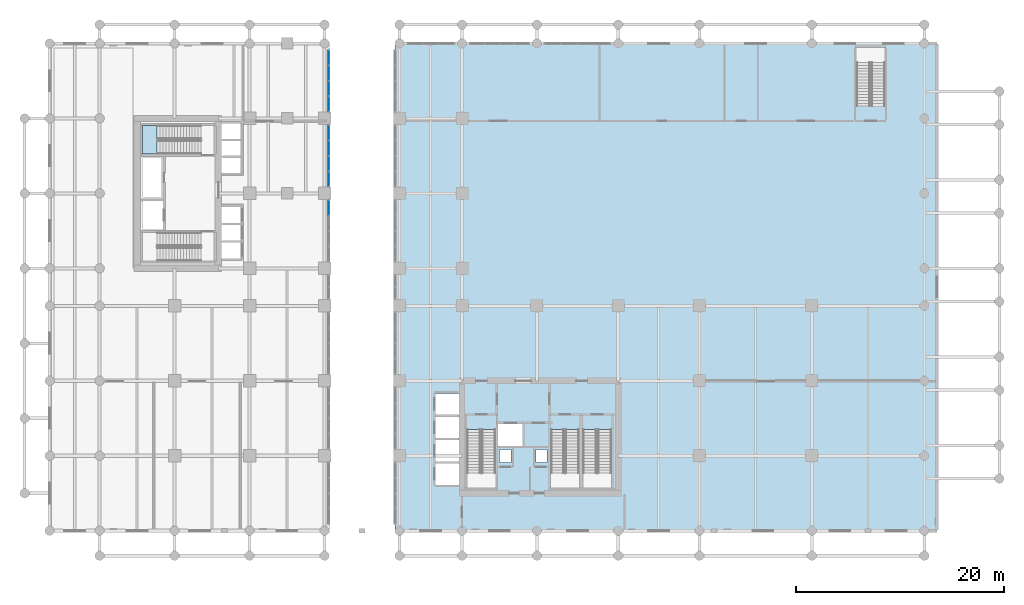
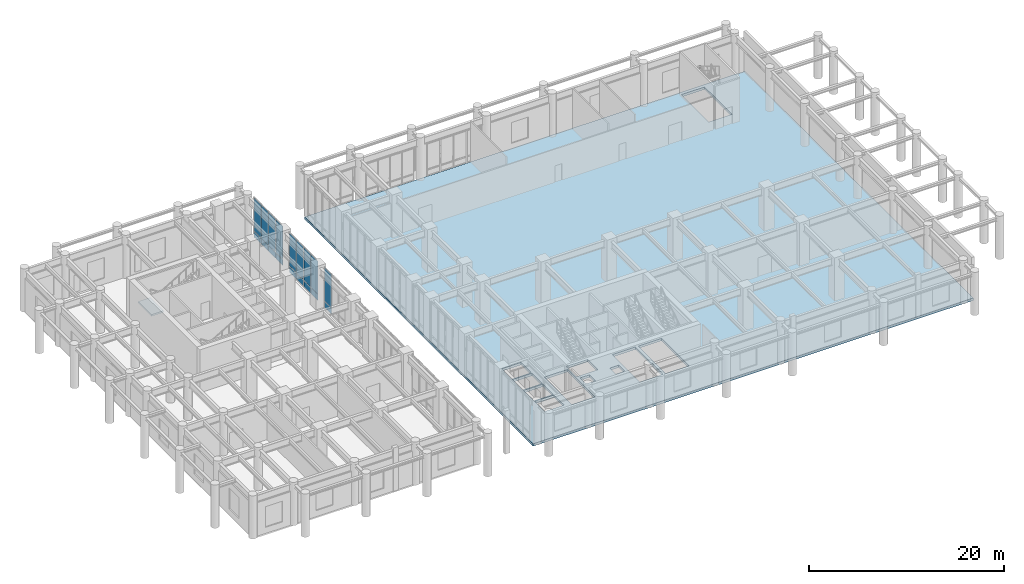
# One storey, part 12 of 23: 18 plates, 2 slabs, 4 elements without a shape of their own.
"""IFC4 building model written with IfcOpenShell, lengths in metres."""

from ifc_helpers import new_model, si_unit, derived_unit, direction, frame, origin, origin_2d, place, context, subcontext, project, spatial, polyline, rectangle, outline, extrude, source, transform, mapped, material, layer, layer_set, type_object, element, aggregate, save


model = new_model("IFC4")

# Units and contexts
model_context = context("Model", 3, precision=1e-05, world=origin(), true_north=direction((0.0, 1.0)))
body_context = subcontext(model_context, "Body", "Model", "MODEL_VIEW")
ifc_project = project(units=[si_unit("LENGTHUNIT", "METRE"), si_unit("AREAUNIT", "SQUARE_METRE"), si_unit("VOLUMEUNIT", "CUBIC_METRE"), si_unit("PLANEANGLEUNIT", "RADIAN"), si_unit("MASSUNIT", "GRAM", prefix="KILO"), si_unit("THERMODYNAMICTEMPERATUREUNIT", "KELVIN"), si_unit("POWERUNIT", "WATT"), derived_unit("THERMALTRANSMITTANCEUNIT", [(si_unit("POWERUNIT", "WATT"), 1), (si_unit("AREAUNIT", "SQUARE_METRE"), -1), (si_unit("THERMODYNAMICTEMPERATUREUNIT", "KELVIN"), -1)])], contexts=[model_context])

# Site, building, storey
site_placement = place(None, origin())
site = spatial("IfcSite", under=ifc_project, at=site_placement, CompositionType="ELEMENT")
building_placement = place(site_placement, origin())
building = spatial("IfcBuilding", under=site, at=building_placement, Name="Zahravan Archway Hotel and Residences", CompositionType="ELEMENT")
storey_placement = place(building_placement, frame((0.0, 0.0, 5.39990234375)))
storey = spatial("IfcBuildingStorey", under=building, at=storey_placement, Name="L01", CompositionType="ELEMENT", Elevation=5.39990234375)

# Slab
ifc_material_1 = material(Name="Concrete C50/60", Category="concrete")
ifc_layer_1 = layer(ifc_material_1, 0.300048828125, Name="Concrete C50/60", Category="concrete")
ifc_layer_set_1 = layer_set([ifc_layer_1], Name="Concrete C50/60")
slab_type_1 = type_object("IfcSlabType", Name="SLB-FLR-300", PredefinedType="FLOOR", material=ifc_layer_set_1)
slab_1_placement = place(storey_placement, frame((0.0, 0.0, -0.2998046875)))
element("IfcSlab", 1, at=slab_1_placement, inside=storey, type_object=slab_type_1, Name="L01 Floor Slab EAST", PredefinedType="FLOOR", context=body_context, shape_type="SweptSolid", body=[
    extrude(outline(polyline([(28.35009765625, 0.0), (80.39990234375, 0.0), (80.39990234375, 46.800048828125), (28.35009765625, 46.800048828125), (28.35009765625, 0.0)]), holes=[polyline([(35.300048828125, 9.72998046875), (35.300048828125, 4.10009765625), (38.0400390625, 4.10009765625), (38.0400390625, 9.72998046875), (35.300048828125, 9.72998046875)]), polyline([(43.320068359375, 9.72998046875), (43.320068359375, 4.10009765625), (46.06005859375, 4.10009765625), (46.06005859375, 9.72998046875), (43.320068359375, 9.72998046875)]), polyline([(46.39990234375, 9.72998046875), (46.39990234375, 4.10009765625), (49.139892578125, 4.10009765625), (49.139892578125, 9.72998046875), (46.39990234375, 9.72998046875)]), polyline([(75.39990234375, 40.77001953125), (75.39990234375, 46.39990234375), (72.659912109375, 46.39990234375), (72.659912109375, 40.77001953125), (75.39990234375, 40.77001953125)]), polyline([(38.179931640625, 8.14990234375), (40.699951171875, 8.14990234375), (40.699951171875, 10.25), (38.179931640625, 10.25), (38.179931640625, 8.14990234375)]), polyline([(32.25, 4.39990234375), (34.550048828125, 4.39990234375), (34.550048828125, 6.47998046875), (32.25, 6.47998046875), (32.25, 4.39990234375)]), polyline([(32.25, 6.639892578125), (34.550048828125, 6.639892578125), (34.550048828125, 8.719970703125), (32.25, 8.719970703125), (32.25, 6.639892578125)]), polyline([(32.25, 8.8798828125), (34.550048828125, 8.8798828125), (34.550048828125, 10.9599609375), (32.25, 10.9599609375), (32.25, 8.8798828125)]), polyline([(32.25, 11.1201171875), (34.550048828125, 11.1201171875), (34.550048828125, 13.199951171875), (32.25, 13.199951171875), (32.25, 11.1201171875)]), polyline([(38.419921875, 6.56005859375), (39.5, 6.56005859375), (39.5, 7.780029296875), (38.419921875, 7.780029296875), (38.419921875, 6.56005859375)]), polyline([(41.89990234375, 6.56005859375), (42.9599609375, 6.56005859375), (42.9599609375, 7.780029296875), (41.89990234375, 7.780029296875), (41.89990234375, 6.56005859375)])]), origin(), (0.0, 0.0, 1.0), 0.2998046875),
])

# Stair, slab
stair_type = type_object("IfcStairType", Name="STR-CORE-1300", PredefinedType="HALF_TURN_STAIR", material=ifc_material_1)
stair_placement = place(storey_placement, origin())
stair = element("IfcStair", 2, at=stair_placement, inside=storey, type_object=stair_type, Name="L01 Core B Exit Stair 2", PredefinedType="HALF_TURN_STAIR")
ifc_layer_2 = layer(ifc_material_1, 0.199951171875, Name="Concrete C50/60", Category="concrete")
ifc_layer_set_2 = layer_set([ifc_layer_2], Name="Concrete C50/60")
slab_type_2 = type_object("IfcSlabType", Name="SLB-LND-200", PredefinedType="LANDING", material=ifc_layer_set_2)
slab_2_placement = place(storey_placement, frame((0.0, 0.0, 2.5)))
slab_2 = element("IfcSlab", 3, at=slab_2_placement, type_object=slab_type_2, Name="ST-B2 landing 1", PredefinedType="LANDING", context=body_context, shape_type="SweptSolid", body=[
    extrude(outline(polyline([(5.530029296875, 38.89990234375), (4.10009765625, 38.89990234375), (4.10009765625, 36.159912109375), (5.530029296875, 36.159912109375), (5.530029296875, 38.89990234375)])), origin(), (0.0, 0.0, 1.0), 0.2001953125),
])
aggregate(stair, [slab_2])

# Curtain wall, plate
ifc_material_2 = material(Name="Bronze-Anodized Unitised Aluminium & Low-E Glass", Category="aluminium")
ifc_layer_3 = layer(ifc_material_2, 0.179931640625, Name="Bronze-Anodized Unitised Aluminium & Low-E Glass", Category="aluminium")
ifc_layer_set_3 = layer_set([ifc_layer_3], Name="Bronze-Anodized Unitised Aluminium & Low-E Glass")
curtain_wall_type = type_object("IfcCurtainWallType", Name="CW-POD-ARCH", PredefinedType="NOTDEFINED", material=ifc_layer_set_3)
curtain_wall_1_placement = place(storey_placement, origin())
curtain_wall_1 = element("IfcCurtainWall", 4, at=curtain_wall_1_placement, inside=storey, type_object=curtain_wall_type, Name="L01 Curtain Wall CW-PORTW-L01-5", PredefinedType="NOTDEFINED")
ifc_material_3 = material(Name="Insulated Terracotta Spandrel Panel", Category="masonry")
ifc_layer_4 = layer(ifc_material_3, 0.0400390625, Name="Insulated Terracotta Spandrel Panel", Category="masonry")
ifc_layer_set_4 = layer_set([ifc_layer_4], Name="Insulated Terracotta Spandrel Panel")
plate_type_1 = type_object("IfcPlateType", Name="CWP-SPN-40", PredefinedType="SHEET", material=ifc_layer_set_4)
shared_shape_1 = source(origin(), body_context, "Body", "SweptSolid", [
    extrude(rectangle(XDim=1.3974609375, YDim=0.0400390625, at=origin_2d()), origin(), (0.0, 0.0, 1.0), 0.7099609375),
])
plate_1_placement = place(storey_placement, frame((22.0, 31.01611328125, 0.10009765625), z_axis=(0.0, 0.0, 1.0), x_axis=(0.0, 1.0, 0.0)))
plate_1 = element("IfcPlate", 5, at=plate_1_placement, type_object=plate_type_1, Name="CW-PORTW-L01-5 Spandrel Panel 3", PredefinedType="SHEET", context=body_context, shape_type="MappedRepresentation", body=[
    mapped(shared_shape_1, transform((0.0, 0.0, 0.0), scale=1.0)),
])

# Curtain wall, plates
curtain_wall_2_placement = place(storey_placement, origin())
curtain_wall_2 = element("IfcCurtainWall", 6, at=curtain_wall_2_placement, inside=storey, type_object=curtain_wall_type, Name="L01 Curtain Wall CW-PORTW-L01-6", PredefinedType="NOTDEFINED")
plate_2_placement = place(storey_placement, frame((22.0, 33.783935546875, 0.10009765625), z_axis=(0.0, 0.0, 1.0), x_axis=(0.0, 1.0, 0.0)))
plate_2 = element("IfcPlate", 7, at=plate_2_placement, type_object=plate_type_1, Name="CW-PORTW-L01-6 Spandrel Panel 0", PredefinedType="SHEET", context=body_context, shape_type="MappedRepresentation", body=[
    mapped(shared_shape_1, transform((0.0, 0.0, 0.0), scale=1.0)),
])
plate_3_placement = place(storey_placement, frame((22.0, 35.26123046875, 0.10009765625), z_axis=(0.0, 0.0, 1.0), x_axis=(0.0, 1.0, 0.0)))
plate_3 = element("IfcPlate", 8, at=plate_3_placement, type_object=plate_type_1, Name="CW-PORTW-L01-6 Spandrel Panel 1", PredefinedType="SHEET", context=body_context, shape_type="MappedRepresentation", body=[
    mapped(shared_shape_1, transform((0.0, 0.0, 0.0), scale=1.0)),
])
plate_4_placement = place(storey_placement, frame((22.0, 36.73876953125, 0.10009765625), z_axis=(0.0, 0.0, 1.0), x_axis=(0.0, 1.0, 0.0)))
plate_4 = element("IfcPlate", 9, at=plate_4_placement, type_object=plate_type_1, Name="CW-PORTW-L01-6 Spandrel Panel 2", PredefinedType="SHEET", context=body_context, shape_type="MappedRepresentation", body=[
    mapped(shared_shape_1, transform((0.0, 0.0, 0.0), scale=1.0)),
])
plate_5_placement = place(storey_placement, frame((22.0, 38.216064453125, 0.10009765625), z_axis=(0.0, 0.0, 1.0), x_axis=(0.0, 1.0, 0.0)))
plate_5 = element("IfcPlate", 10, at=plate_5_placement, type_object=plate_type_1, Name="CW-PORTW-L01-6 Spandrel Panel 3", PredefinedType="SHEET", context=body_context, shape_type="MappedRepresentation", body=[
    mapped(shared_shape_1, transform((0.0, 0.0, 0.0), scale=1.0)),
])

curtain_wall_3_placement = place(storey_placement, origin())
curtain_wall_3 = element("IfcCurtainWall", 11, at=curtain_wall_3_placement, inside=storey, type_object=curtain_wall_type, Name="L01 Curtain Wall CW-PORTW-L01-7", PredefinedType="NOTDEFINED")
plate_6_placement = place(storey_placement, frame((22.0, 40.98388671875, 0.10009765625), z_axis=(0.0, 0.0, 1.0), x_axis=(0.0, 1.0, 0.0)))
plate_6 = element("IfcPlate", 12, at=plate_6_placement, type_object=plate_type_1, Name="CW-PORTW-L01-7 Spandrel Panel 0", PredefinedType="SHEET", context=body_context, shape_type="MappedRepresentation", body=[
    mapped(shared_shape_1, transform((0.0, 0.0, 0.0), scale=1.0)),
])
plate_7_placement = place(storey_placement, frame((22.0, 42.461181640625, 0.10009765625), z_axis=(0.0, 0.0, 1.0), x_axis=(0.0, 1.0, 0.0)))
plate_7 = element("IfcPlate", 13, at=plate_7_placement, type_object=plate_type_1, Name="CW-PORTW-L01-7 Spandrel Panel 1", PredefinedType="SHEET", context=body_context, shape_type="MappedRepresentation", body=[
    mapped(shared_shape_1, transform((0.0, 0.0, 0.0), scale=1.0)),
])
plate_8_placement = place(storey_placement, frame((22.0, 43.938720703125, 0.10009765625), z_axis=(0.0, 0.0, 1.0), x_axis=(0.0, 1.0, 0.0)))
plate_8 = element("IfcPlate", 14, at=plate_8_placement, type_object=plate_type_1, Name="CW-PORTW-L01-7 Spandrel Panel 2", PredefinedType="SHEET", context=body_context, shape_type="MappedRepresentation", body=[
    mapped(shared_shape_1, transform((0.0, 0.0, 0.0), scale=1.0)),
])
plate_9_placement = place(storey_placement, frame((22.0, 45.416015625, 0.10009765625), z_axis=(0.0, 0.0, 1.0), x_axis=(0.0, 1.0, 0.0)))
plate_9 = element("IfcPlate", 15, at=plate_9_placement, type_object=plate_type_1, Name="CW-PORTW-L01-7 Spandrel Panel 3", PredefinedType="SHEET", context=body_context, shape_type="MappedRepresentation", body=[
    mapped(shared_shape_1, transform((0.0, 0.0, 0.0), scale=1.0)),
])

# Plate
ifc_material_4 = material(Name="Double-Silver Low-E Insulated Vision Glass", Category="glass")
ifc_layer_5 = layer(ifc_material_4, 0.028076171875, Name="Double-Silver Low-E Insulated Vision Glass", Category="glass")
ifc_layer_set_5 = layer_set([ifc_layer_5], Name="Double-Silver Low-E Insulated Vision Glass")
plate_type_2 = type_object("IfcPlateType", Name="CWP-GLZ-28", PredefinedType="CURTAIN_PANEL", material=ifc_layer_set_5)
shared_shape_2 = source(origin(), body_context, "Body", "SweptSolid", [
    extrude(rectangle(XDim=1.3974609375, YDim=0.028076171875, at=origin_2d()), origin(), (0.0, 0.0, 1.0), 4.110107421875),
])
plate_10_placement = place(storey_placement, frame((22.0, 31.01611328125, 0.89013671875), z_axis=(0.0, 0.0, 1.0), x_axis=(0.0, 1.0, 0.0)))
plate_10 = element("IfcPlate", 16, at=plate_10_placement, type_object=plate_type_2, Name="CW-PORTW-L01-5 Low-E Vision Panel 3", PredefinedType="CURTAIN_PANEL", context=body_context, shape_type="MappedRepresentation", body=[
    mapped(shared_shape_2, transform((0.0, 0.0, 0.0), scale=1.0)),
])

aggregate(curtain_wall_1, [plate_1, plate_10])

plate_11_placement = place(storey_placement, frame((22.0, 33.783935546875, 0.89013671875), z_axis=(0.0, 0.0, 1.0), x_axis=(0.0, 1.0, 0.0)))
plate_11 = element("IfcPlate", 17, at=plate_11_placement, type_object=plate_type_2, Name="CW-PORTW-L01-6 Low-E Vision Panel 0", PredefinedType="CURTAIN_PANEL", context=body_context, shape_type="MappedRepresentation", body=[
    mapped(shared_shape_2, transform((0.0, 0.0, 0.0), scale=1.0)),
])

plate_12_placement = place(storey_placement, frame((22.0, 35.26123046875, 0.89013671875), z_axis=(0.0, 0.0, 1.0), x_axis=(0.0, 1.0, 0.0)))
plate_12 = element("IfcPlate", 18, at=plate_12_placement, type_object=plate_type_2, Name="CW-PORTW-L01-6 Low-E Vision Panel 1", PredefinedType="CURTAIN_PANEL", context=body_context, shape_type="MappedRepresentation", body=[
    mapped(shared_shape_2, transform((0.0, 0.0, 0.0), scale=1.0)),
])

plate_13_placement = place(storey_placement, frame((22.0, 36.73876953125, 0.89013671875), z_axis=(0.0, 0.0, 1.0), x_axis=(0.0, 1.0, 0.0)))
plate_13 = element("IfcPlate", 19, at=plate_13_placement, type_object=plate_type_2, Name="CW-PORTW-L01-6 Low-E Vision Panel 2", PredefinedType="CURTAIN_PANEL", context=body_context, shape_type="MappedRepresentation", body=[
    mapped(shared_shape_2, transform((0.0, 0.0, 0.0), scale=1.0)),
])

plate_14_placement = place(storey_placement, frame((22.0, 38.216064453125, 0.89013671875), z_axis=(0.0, 0.0, 1.0), x_axis=(0.0, 1.0, 0.0)))
plate_14 = element("IfcPlate", 20, at=plate_14_placement, type_object=plate_type_2, Name="CW-PORTW-L01-6 Low-E Vision Panel 3", PredefinedType="CURTAIN_PANEL", context=body_context, shape_type="MappedRepresentation", body=[
    mapped(shared_shape_2, transform((0.0, 0.0, 0.0), scale=1.0)),
])

aggregate(curtain_wall_2, [plate_2, plate_11, plate_3, plate_12, plate_4, plate_13, plate_5, plate_14])

plate_15_placement = place(storey_placement, frame((22.0, 40.98388671875, 0.89013671875), z_axis=(0.0, 0.0, 1.0), x_axis=(0.0, 1.0, 0.0)))
plate_15 = element("IfcPlate", 21, at=plate_15_placement, type_object=plate_type_2, Name="CW-PORTW-L01-7 Low-E Vision Panel 0", PredefinedType="CURTAIN_PANEL", context=body_context, shape_type="MappedRepresentation", body=[
    mapped(shared_shape_2, transform((0.0, 0.0, 0.0), scale=1.0)),
])

plate_16_placement = place(storey_placement, frame((22.0, 42.461181640625, 0.89013671875), z_axis=(0.0, 0.0, 1.0), x_axis=(0.0, 1.0, 0.0)))
plate_16 = element("IfcPlate", 22, at=plate_16_placement, type_object=plate_type_2, Name="CW-PORTW-L01-7 Low-E Vision Panel 1", PredefinedType="CURTAIN_PANEL", context=body_context, shape_type="MappedRepresentation", body=[
    mapped(shared_shape_2, transform((0.0, 0.0, 0.0), scale=1.0)),
])

plate_17_placement = place(storey_placement, frame((22.0, 43.938720703125, 0.89013671875), z_axis=(0.0, 0.0, 1.0), x_axis=(0.0, 1.0, 0.0)))
plate_17 = element("IfcPlate", 23, at=plate_17_placement, type_object=plate_type_2, Name="CW-PORTW-L01-7 Low-E Vision Panel 2", PredefinedType="CURTAIN_PANEL", context=body_context, shape_type="MappedRepresentation", body=[
    mapped(shared_shape_2, transform((0.0, 0.0, 0.0), scale=1.0)),
])

plate_18_placement = place(storey_placement, frame((22.0, 45.416015625, 0.89013671875), z_axis=(0.0, 0.0, 1.0), x_axis=(0.0, 1.0, 0.0)))
plate_18 = element("IfcPlate", 24, at=plate_18_placement, type_object=plate_type_2, Name="CW-PORTW-L01-7 Low-E Vision Panel 3", PredefinedType="CURTAIN_PANEL", context=body_context, shape_type="MappedRepresentation", body=[
    mapped(shared_shape_2, transform((0.0, 0.0, 0.0), scale=1.0)),
])

aggregate(curtain_wall_3, [plate_6, plate_15, plate_7, plate_16, plate_8, plate_17, plate_9, plate_18])

save(model, "model.ifc")
